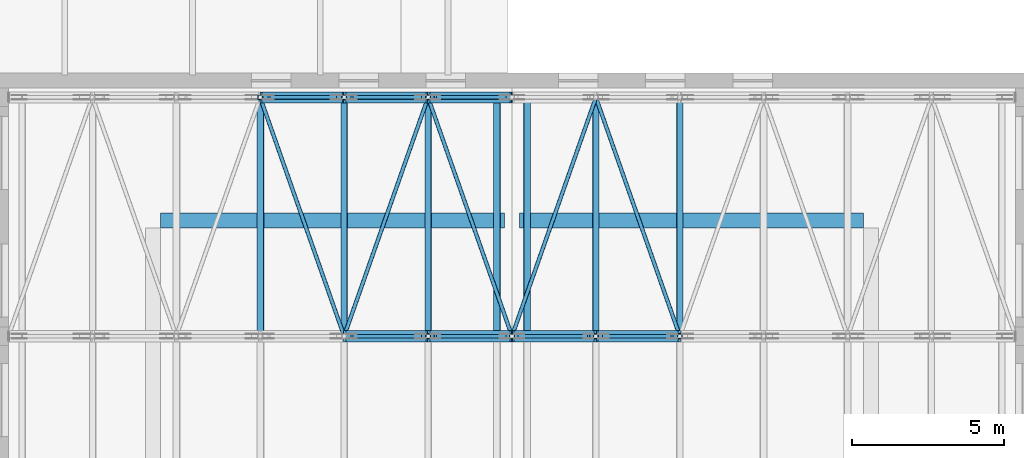
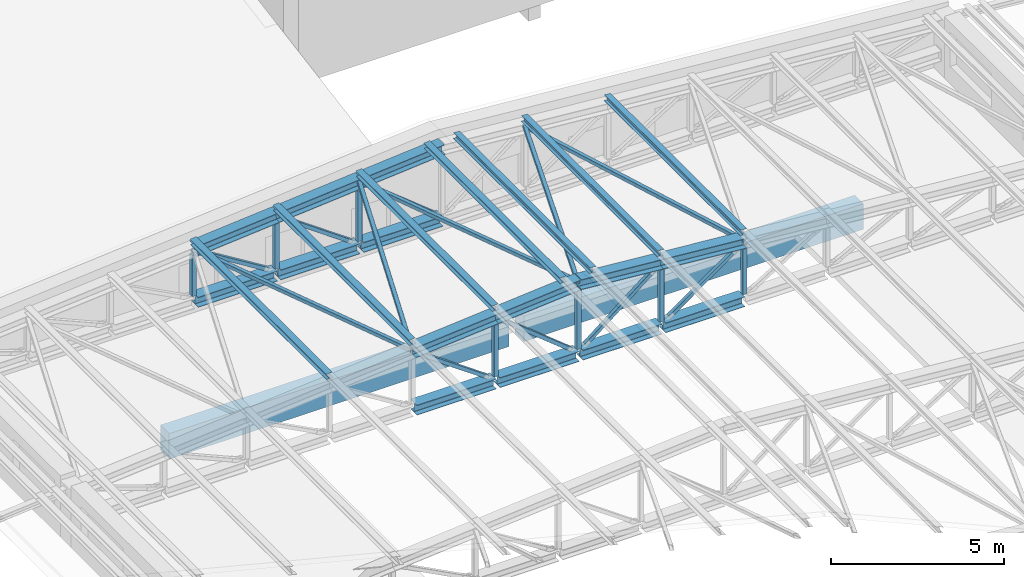
# One storey, part 18 of 60: 40 members, 2 beams.
"""IFC4 building model written with IfcOpenShell, lengths in metres."""

from ifc_helpers import new_model, si_unit, direction, frame, origin, origin_2d, place, context, subcontext, project, spatial, rectangle, hollow_rectangle, i_section, extrude, material, material_profile, profile_set, type_object, element, save


model = new_model("IFC4")

# Units and contexts
model_context = context("Model", 3, precision=1e-05, world=origin(), true_north=direction((0.0, 1.0)))
body_context = subcontext(model_context, "Body", "Model", "MODEL_VIEW")
ifc_project = project(units=[si_unit("LENGTHUNIT", "METRE"), si_unit("AREAUNIT", "SQUARE_METRE"), si_unit("VOLUMEUNIT", "CUBIC_METRE"), si_unit("PLANEANGLEUNIT", "RADIAN"), si_unit("MASSUNIT", "GRAM", prefix="KILO")], contexts=[model_context])

# Site, building, storey
site_placement = place(None, origin())
site = spatial("IfcSite", under=ifc_project, at=site_placement, CompositionType="ELEMENT")
building_placement = place(site_placement, origin())
building = spatial("IfcBuilding", under=site, at=building_placement, Name="Ljudholm Concert House", CompositionType="ELEMENT")
storey_placement = place(building_placement, frame((0.0, 0.0, 15.0)))
storey = spatial("IfcBuildingStorey", under=building, at=storey_placement, Name="L03", CompositionType="ELEMENT", Elevation=15.0)

# Beams
ifc_material_1 = material(Name="Concrete 6,500 psi", Category="concrete")
ifc_material_profile_1 = material_profile(ifc_material_1, rectangle(XDim=0.5, YDim=0.89990234375, at=origin_2d()), Name="RC BEAM 500x900")
ifc_profile_set_1 = profile_set([ifc_material_profile_1], Name="Concrete 6,500 psi")
beam_type = type_object("IfcBeamType", Name="RC BEAM 500x900", PredefinedType="BEAM", material=ifc_profile_set_1)
for number, where, z_axis, x_axis, name in (
    (1, (17.64990234375, 41.39990234375, -0.699951171875), (1.0, 0.0, 0.0), (0.0, 1.0, 0.0), "Ring beam"),
    (2, (29.449951171875, 41.39990234375, -0.699951171875), (1.0, 0.0, 0.0), (0.0, 1.0, 0.0), "Ring beam"),
):
    element("IfcBeam", number, at=place(storey_placement, frame(where, z_axis=z_axis, x_axis=x_axis)), inside=storey, type_object=beam_type, Name=name, PredefinedType="BEAM", context=body_context, shape_type="SweptSolid", body=[
        extrude(rectangle(XDim=0.5, YDim=0.89990234375, at=origin_2d()), origin(), (0.0, 0.0, 1.0), 11.300048828125),
    ])

# Members
ifc_material_2 = material(Name="Steel ASTM A500 Gr. C", Category="steel")
ifc_material_profile_2 = material_profile(ifc_material_2, hollow_rectangle(XDim=0.126953125, YDim=0.126953125, WallThickness=0.00732421875, InnerFilletRadius=0.003662109375, OuterFilletRadius=0.010986328125, at=origin_2d()), Name="HSS5X5X5/16")
ifc_profile_set_2 = profile_set([ifc_material_profile_2], Name="Steel ASTM A500 Gr. C")
member_type_1 = type_object("IfcMemberType", Name="STEEL MEMBER HSS5X5X5/16 BRACE", PredefinedType="BRACE", material=ifc_profile_set_2)
member_1_placement = place(storey_placement, frame((23.9423828125, 37.60009765625, 2.518798828125), z_axis=(0.815632982968, 0.0, -0.578569647574), x_axis=(0.0, 1.0, 0.0)))
element("IfcMember", 3, at=member_1_placement, inside=storey, type_object=member_type_1, Name="Roof truss T5 diagonal", PredefinedType="BRACE", context=body_context, shape_type="SweptSolid", body=[
    extrude(hollow_rectangle(XDim=0.126953125, YDim=0.126953125, WallThickness=0.00732421875, InnerFilletRadius=0.003662109375, OuterFilletRadius=0.010986328125, at=origin_2d()), origin(), (0.0, 0.0, 1.0), 2.74658203125),
])
member_2_placement = place(storey_placement, frame((26.68115234375, 37.60009765625, 2.753662109375), z_axis=(0.780371115446, 0.0, -0.625316657525), x_axis=(0.0, 1.0, 0.0)))
element("IfcMember", 4, at=member_2_placement, inside=storey, type_object=member_type_1, Name="Roof truss T5 diagonal", PredefinedType="BRACE", context=body_context, shape_type="SweptSolid", body=[
    extrude(hollow_rectangle(XDim=0.126953125, YDim=0.126953125, WallThickness=0.00732421875, InnerFilletRadius=0.003662109375, OuterFilletRadius=0.010986328125, at=origin_2d()), origin(), (0.0, 0.0, 1.0), 2.9208984375),
])
member_3_placement = place(storey_placement, frame((29.439697265625, 37.60009765625, 0.92724609375), z_axis=(0.780338427861, 0.0, 0.625357448187), x_axis=(0.0, 1.0, 0.0)))
element("IfcMember", 5, at=member_3_placement, inside=storey, type_object=member_type_1, Name="Roof truss T5 diagonal", PredefinedType="BRACE", context=body_context, shape_type="SweptSolid", body=[
    extrude(hollow_rectangle(XDim=0.126953125, YDim=0.126953125, WallThickness=0.00732421875, InnerFilletRadius=0.003662109375, OuterFilletRadius=0.010986328125, at=origin_2d()), origin(), (0.0, 0.0, 1.0), 2.920654296875),
])
member_4_placement = place(storey_placement, frame((32.21728515625, 37.60009765625, 0.9296875), z_axis=(0.815662734234, 0.0, 0.57852770373), x_axis=(0.0, 1.0, 0.0)))
element("IfcMember", 6, at=member_4_placement, inside=storey, type_object=member_type_1, Name="Roof truss T5 diagonal", PredefinedType="BRACE", context=body_context, shape_type="SweptSolid", body=[
    extrude(hollow_rectangle(XDim=0.126953125, YDim=0.126953125, WallThickness=0.00732421875, InnerFilletRadius=0.003662109375, OuterFilletRadius=0.010986328125, at=origin_2d()), origin(), (0.0, 0.0, 1.0), 2.746826171875),
])
member_5_placement = place(storey_placement, frame((21.20947265625, 45.449951171875, 2.2841796875), z_axis=(0.850800492384, 0.0, -0.525488841137), x_axis=(0.0, 1.0, 0.0)))
element("IfcMember", 7, at=member_5_placement, inside=storey, type_object=member_type_1, Name="Roof truss T6 diagonal", PredefinedType="BRACE", context=body_context, shape_type="SweptSolid", body=[
    extrude(hollow_rectangle(XDim=0.126953125, YDim=0.126953125, WallThickness=0.00732421875, InnerFilletRadius=0.003662109375, OuterFilletRadius=0.010986328125, at=origin_2d()), origin(), (0.0, 0.0, 1.0), 2.573486328125),
])
member_6_placement = place(storey_placement, frame((23.9423828125, 45.449951171875, 2.518798828125), z_axis=(0.815632982968, 0.0, -0.578569647574), x_axis=(0.0, 1.0, 0.0)))
element("IfcMember", 8, at=member_6_placement, inside=storey, type_object=member_type_1, Name="Roof truss T6 diagonal", PredefinedType="BRACE", context=body_context, shape_type="SweptSolid", body=[
    extrude(hollow_rectangle(XDim=0.126953125, YDim=0.126953125, WallThickness=0.00732421875, InnerFilletRadius=0.003662109375, OuterFilletRadius=0.010986328125, at=origin_2d()), origin(), (0.0, 0.0, 1.0), 2.74658203125),
])
member_7_placement = place(storey_placement, frame((26.68115234375, 45.449951171875, 2.753662109375), z_axis=(0.780371115446, 0.0, -0.625316657525), x_axis=(0.0, 1.0, 0.0)))
element("IfcMember", 9, at=member_7_placement, inside=storey, type_object=member_type_1, Name="Roof truss T6 diagonal", PredefinedType="BRACE", context=body_context, shape_type="SweptSolid", body=[
    extrude(hollow_rectangle(XDim=0.126953125, YDim=0.126953125, WallThickness=0.00732421875, InnerFilletRadius=0.003662109375, OuterFilletRadius=0.010986328125, at=origin_2d()), origin(), (0.0, 0.0, 1.0), 2.9208984375),
])
for number, where, z_axis, x_axis, name in (
    (10, (20.925048828125, 45.4443359375, 2.5), (0.33179473424, -0.942933734023, 0.02807539086), (0.943305577044, 0.331925576474, 0.0), "Roof bracing"),
    (11, (23.683349609375, 37.60546875, 2.7333984375), (0.331795007664, 0.942934511072, 0.028046046408), (-0.943305577044, 0.331925576474, 0.0), "Roof bracing"),
    (12, (26.441650390625, 45.4443359375, 2.966552734375), (0.33179473424, -0.942933734023, 0.02807539086), (0.943305577044, 0.331925576474, 0.0), "Roof bracing"),
    (13, (29.199951171875, 37.60546875, 3.199951171875), (0.33179473424, 0.942933734023, -0.02807539086), (-0.943305577044, 0.331925576474, 0.0), "Roof bracing"),
    (14, (31.958251953125, 45.4443359375, 2.966552734375), (0.331795007664, -0.942934511072, -0.028046046408), (0.943305577044, 0.331925576474, 0.0), "Roof bracing"),
):
    element("IfcMember", number, at=place(storey_placement, frame(where, z_axis=z_axis, x_axis=x_axis)), inside=storey, type_object=member_type_1, Name=name, PredefinedType="BRACE", context=body_context, shape_type="SweptSolid", body=[
        extrude(hollow_rectangle(XDim=0.126953125, YDim=0.126953125, WallThickness=0.00732421875, InnerFilletRadius=0.003662109375, OuterFilletRadius=0.010986328125, at=origin_2d()), origin(), (0.0, 0.0, 1.0), 8.313232421875),
    ])
ifc_material_3 = material(Name="Steel ASTM A500 Gr. C", Category="steel")
ifc_material_profile_3 = material_profile(ifc_material_3, hollow_rectangle(XDim=0.15234375, YDim=0.15234375, WallThickness=0.0087890625, InnerFilletRadius=0.00439453125, OuterFilletRadius=0.01318359375, at=origin_2d()), Name="HSS6X6X3/8")
ifc_profile_set_3 = profile_set([ifc_material_profile_3], Name="Steel ASTM A500 Gr. C")
member_type_2 = type_object("IfcMemberType", Name="STEEL MEMBER HSS6X6X3/8 POST", PredefinedType="POST", material=ifc_profile_set_3)
member_8_placement = place(storey_placement, frame((26.441650390625, 37.60009765625, 0.877685546875), z_axis=(0.0, 0.0, 1.0), x_axis=(1.0, 0.0, 0.0)))
element("IfcMember", 15, at=member_8_placement, inside=storey, type_object=member_type_2, Name="Roof truss T5 post", PredefinedType="POST", context=body_context, shape_type="SweptSolid", body=[
    extrude(hollow_rectangle(XDim=0.15234375, YDim=0.15234375, WallThickness=0.0087890625, InnerFilletRadius=0.00439453125, OuterFilletRadius=0.01318359375, at=origin_2d()), origin(), (0.0, 0.0, 1.0), 1.91064453125),
])
member_9_placement = place(storey_placement, frame((29.199951171875, 37.60009765625, 0.877685546875), z_axis=(0.0, 0.0, 1.0), x_axis=(1.0, 0.0, 0.0)))
element("IfcMember", 16, at=member_9_placement, inside=storey, type_object=member_type_2, Name="Roof truss T5 post", PredefinedType="POST", context=body_context, shape_type="SweptSolid", body=[
    extrude(hollow_rectangle(XDim=0.15234375, YDim=0.15234375, WallThickness=0.0087890625, InnerFilletRadius=0.00439453125, OuterFilletRadius=0.01318359375, at=origin_2d()), origin(), (0.0, 0.0, 1.0), 2.143798828125),
])
member_10_placement = place(storey_placement, frame((31.958251953125, 37.60009765625, 0.877685546875), z_axis=(0.0, 0.0, 1.0), x_axis=(1.0, 0.0, 0.0)))
element("IfcMember", 17, at=member_10_placement, inside=storey, type_object=member_type_2, Name="Roof truss T5 post", PredefinedType="POST", context=body_context, shape_type="SweptSolid", body=[
    extrude(hollow_rectangle(XDim=0.15234375, YDim=0.15234375, WallThickness=0.0087890625, InnerFilletRadius=0.00439453125, OuterFilletRadius=0.01318359375, at=origin_2d()), origin(), (0.0, 0.0, 1.0), 1.91064453125),
])
member_11_placement = place(storey_placement, frame((34.716552734375, 37.60009765625, 0.877685546875), z_axis=(0.0, 0.0, 1.0), x_axis=(1.0, 0.0, 0.0)))
element("IfcMember", 18, at=member_11_placement, inside=storey, type_object=member_type_2, Name="Roof truss T5 post", PredefinedType="POST", context=body_context, shape_type="SweptSolid", body=[
    extrude(hollow_rectangle(XDim=0.15234375, YDim=0.15234375, WallThickness=0.0087890625, InnerFilletRadius=0.00439453125, OuterFilletRadius=0.01318359375, at=origin_2d()), origin(), (0.0, 0.0, 1.0), 1.67724609375),
])
member_12_placement = place(storey_placement, frame((20.925048828125, 45.449951171875, 0.877685546875), z_axis=(0.0, 0.0, 1.0), x_axis=(1.0, 0.0, 0.0)))
element("IfcMember", 19, at=member_12_placement, inside=storey, type_object=member_type_2, Name="Roof truss T6 post", PredefinedType="POST", context=body_context, shape_type="SweptSolid", body=[
    extrude(hollow_rectangle(XDim=0.15234375, YDim=0.15234375, WallThickness=0.0087890625, InnerFilletRadius=0.00439453125, OuterFilletRadius=0.01318359375, at=origin_2d()), origin(), (0.0, 0.0, 1.0), 1.44384765625),
])
member_13_placement = place(storey_placement, frame((23.683349609375, 45.449951171875, 0.877685546875), z_axis=(0.0, 0.0, 1.0), x_axis=(1.0, 0.0, 0.0)))
element("IfcMember", 20, at=member_13_placement, inside=storey, type_object=member_type_2, Name="Roof truss T6 post", PredefinedType="POST", context=body_context, shape_type="SweptSolid", body=[
    extrude(hollow_rectangle(XDim=0.15234375, YDim=0.15234375, WallThickness=0.0087890625, InnerFilletRadius=0.00439453125, OuterFilletRadius=0.01318359375, at=origin_2d()), origin(), (0.0, 0.0, 1.0), 1.67724609375),
])
member_14_placement = place(storey_placement, frame((26.441650390625, 45.449951171875, 0.877685546875), z_axis=(0.0, 0.0, 1.0), x_axis=(1.0, 0.0, 0.0)))
element("IfcMember", 21, at=member_14_placement, inside=storey, type_object=member_type_2, Name="Roof truss T6 post", PredefinedType="POST", context=body_context, shape_type="SweptSolid", body=[
    extrude(hollow_rectangle(XDim=0.15234375, YDim=0.15234375, WallThickness=0.0087890625, InnerFilletRadius=0.00439453125, OuterFilletRadius=0.01318359375, at=origin_2d()), origin(), (0.0, 0.0, 1.0), 1.91064453125),
])
ifc_material_4 = material(Name="Steel ASTM A992", Category="steel")
ifc_material_profile_4 = material_profile(ifc_material_4, i_section(OverallWidth=0.368408203125, OverallDepth=0.355712890625, WebThickness=0.01123046875, FlangeThickness=0.01806640625, FilletRadius=0.01513671875, at=origin_2d()), Name="W14X90")
ifc_profile_set_4 = profile_set([ifc_material_profile_4], Name="Steel ASTM A992")
member_type_3 = type_object("IfcMemberType", Name="STEEL MEMBER W14X90 CHORD", PredefinedType="CHORD", material=ifc_profile_set_4)
member_15_placement = place(storey_placement, frame((23.683349609375, 37.60009765625, 2.7333984375), z_axis=(0.996446519711, 0.0, 0.084227865669), x_axis=(0.0, 1.0, 0.0)))
element("IfcMember", 22, at=member_15_placement, inside=storey, type_object=member_type_3, Name="Roof truss T5 top chord", PredefinedType="CHORD", context=body_context, shape_type="SweptSolid", body=[
    extrude(i_section(OverallWidth=0.368408203125, OverallDepth=0.355712890625, WebThickness=0.01123046875, FlangeThickness=0.01806640625, FilletRadius=0.01513671875, at=origin_2d()), origin(), (0.0, 0.0, 1.0), 2.76806640625),
])
member_16_placement = place(storey_placement, frame((23.745361328125, 37.60009765625, 0.699951171875), z_axis=(1.0, 0.0, 0.0), x_axis=(0.0, 1.0, 0.0)))
element("IfcMember", 23, at=member_16_placement, inside=storey, type_object=member_type_3, Name="Roof truss T5 bottom chord", PredefinedType="CHORD", context=body_context, shape_type="SweptSolid", body=[
    extrude(i_section(OverallWidth=0.368408203125, OverallDepth=0.355712890625, WebThickness=0.01123046875, FlangeThickness=0.01806640625, FilletRadius=0.01513671875, at=origin_2d()), origin(), (0.0, 0.0, 1.0), 2.63427734375),
])
member_17_placement = place(storey_placement, frame((26.441650390625, 37.60009765625, 2.966552734375), z_axis=(0.996439113695, 0.0, 0.084315435714), x_axis=(0.0, 1.0, 0.0)))
element("IfcMember", 24, at=member_17_placement, inside=storey, type_object=member_type_3, Name="Roof truss T5 top chord", PredefinedType="CHORD", context=body_context, shape_type="SweptSolid", body=[
    extrude(i_section(OverallWidth=0.368408203125, OverallDepth=0.355712890625, WebThickness=0.01123046875, FlangeThickness=0.01806640625, FilletRadius=0.01513671875, at=origin_2d()), origin(), (0.0, 0.0, 1.0), 2.76806640625),
])
member_18_placement = place(storey_placement, frame((26.503662109375, 37.60009765625, 0.699951171875), z_axis=(1.0, 0.0, 0.0), x_axis=(0.0, 1.0, 0.0)))
element("IfcMember", 25, at=member_18_placement, inside=storey, type_object=member_type_3, Name="Roof truss T5 bottom chord", PredefinedType="CHORD", context=body_context, shape_type="SweptSolid", body=[
    extrude(i_section(OverallWidth=0.368408203125, OverallDepth=0.355712890625, WebThickness=0.01123046875, FlangeThickness=0.01806640625, FilletRadius=0.01513671875, at=origin_2d()), origin(), (0.0, 0.0, 1.0), 2.63427734375),
])
member_19_placement = place(storey_placement, frame((29.199951171875, 37.60009765625, 3.199951171875), z_axis=(0.996439113695, 0.0, -0.084315435714), x_axis=(0.0, 1.0, 0.0)))
element("IfcMember", 26, at=member_19_placement, inside=storey, type_object=member_type_3, Name="Roof truss T5 top chord", PredefinedType="CHORD", context=body_context, shape_type="SweptSolid", body=[
    extrude(i_section(OverallWidth=0.368408203125, OverallDepth=0.355712890625, WebThickness=0.01123046875, FlangeThickness=0.01806640625, FilletRadius=0.01513671875, at=origin_2d()), origin(), (0.0, 0.0, 1.0), 2.76806640625),
])
member_20_placement = place(storey_placement, frame((29.261962890625, 37.60009765625, 0.699951171875), z_axis=(1.0, 0.0, 0.0), x_axis=(0.0, 1.0, 0.0)))
element("IfcMember", 27, at=member_20_placement, inside=storey, type_object=member_type_3, Name="Roof truss T5 bottom chord", PredefinedType="CHORD", context=body_context, shape_type="SweptSolid", body=[
    extrude(i_section(OverallWidth=0.368408203125, OverallDepth=0.355712890625, WebThickness=0.01123046875, FlangeThickness=0.01806640625, FilletRadius=0.01513671875, at=origin_2d()), origin(), (0.0, 0.0, 1.0), 2.63427734375),
])
member_21_placement = place(storey_placement, frame((31.958251953125, 37.60009765625, 2.966552734375), z_axis=(0.996446519711, 0.0, -0.084227865669), x_axis=(0.0, 1.0, 0.0)))
element("IfcMember", 28, at=member_21_placement, inside=storey, type_object=member_type_3, Name="Roof truss T5 top chord", PredefinedType="CHORD", context=body_context, shape_type="SweptSolid", body=[
    extrude(i_section(OverallWidth=0.368408203125, OverallDepth=0.355712890625, WebThickness=0.01123046875, FlangeThickness=0.01806640625, FilletRadius=0.01513671875, at=origin_2d()), origin(), (0.0, 0.0, 1.0), 2.76806640625),
])
member_22_placement = place(storey_placement, frame((32.020263671875, 37.60009765625, 0.699951171875), z_axis=(1.0, 0.0, 0.0), x_axis=(0.0, 1.0, 0.0)))
element("IfcMember", 29, at=member_22_placement, inside=storey, type_object=member_type_3, Name="Roof truss T5 bottom chord", PredefinedType="CHORD", context=body_context, shape_type="SweptSolid", body=[
    extrude(i_section(OverallWidth=0.368408203125, OverallDepth=0.355712890625, WebThickness=0.01123046875, FlangeThickness=0.01806640625, FilletRadius=0.01513671875, at=origin_2d()), origin(), (0.0, 0.0, 1.0), 2.634521484375),
])
member_23_placement = place(storey_placement, frame((20.925048828125, 45.449951171875, 2.5), z_axis=(0.996439113695, 0.0, 0.084315435714), x_axis=(0.0, 1.0, 0.0)))
element("IfcMember", 30, at=member_23_placement, inside=storey, type_object=member_type_3, Name="Roof truss T6 top chord", PredefinedType="CHORD", context=body_context, shape_type="SweptSolid", body=[
    extrude(i_section(OverallWidth=0.368408203125, OverallDepth=0.355712890625, WebThickness=0.01123046875, FlangeThickness=0.01806640625, FilletRadius=0.01513671875, at=origin_2d()), origin(), (0.0, 0.0, 1.0), 2.76806640625),
])
member_24_placement = place(storey_placement, frame((20.987060546875, 45.449951171875, 0.699951171875), z_axis=(1.0, 0.0, 0.0), x_axis=(0.0, 1.0, 0.0)))
element("IfcMember", 31, at=member_24_placement, inside=storey, type_object=member_type_3, Name="Roof truss T6 bottom chord", PredefinedType="CHORD", context=body_context, shape_type="SweptSolid", body=[
    extrude(i_section(OverallWidth=0.368408203125, OverallDepth=0.355712890625, WebThickness=0.01123046875, FlangeThickness=0.01806640625, FilletRadius=0.01513671875, at=origin_2d()), origin(), (0.0, 0.0, 1.0), 2.63427734375),
])
member_25_placement = place(storey_placement, frame((23.683349609375, 45.449951171875, 2.7333984375), z_axis=(0.996446519711, 0.0, 0.084227865669), x_axis=(0.0, 1.0, 0.0)))
element("IfcMember", 32, at=member_25_placement, inside=storey, type_object=member_type_3, Name="Roof truss T6 top chord", PredefinedType="CHORD", context=body_context, shape_type="SweptSolid", body=[
    extrude(i_section(OverallWidth=0.368408203125, OverallDepth=0.355712890625, WebThickness=0.01123046875, FlangeThickness=0.01806640625, FilletRadius=0.01513671875, at=origin_2d()), origin(), (0.0, 0.0, 1.0), 2.76806640625),
])
member_26_placement = place(storey_placement, frame((23.745361328125, 45.449951171875, 0.699951171875), z_axis=(1.0, 0.0, 0.0), x_axis=(0.0, 1.0, 0.0)))
element("IfcMember", 33, at=member_26_placement, inside=storey, type_object=member_type_3, Name="Roof truss T6 bottom chord", PredefinedType="CHORD", context=body_context, shape_type="SweptSolid", body=[
    extrude(i_section(OverallWidth=0.368408203125, OverallDepth=0.355712890625, WebThickness=0.01123046875, FlangeThickness=0.01806640625, FilletRadius=0.01513671875, at=origin_2d()), origin(), (0.0, 0.0, 1.0), 2.63427734375),
])
member_27_placement = place(storey_placement, frame((26.441650390625, 45.449951171875, 2.966552734375), z_axis=(0.996439113695, 0.0, 0.084315435714), x_axis=(0.0, 1.0, 0.0)))
element("IfcMember", 34, at=member_27_placement, inside=storey, type_object=member_type_3, Name="Roof truss T6 top chord", PredefinedType="CHORD", context=body_context, shape_type="SweptSolid", body=[
    extrude(i_section(OverallWidth=0.368408203125, OverallDepth=0.355712890625, WebThickness=0.01123046875, FlangeThickness=0.01806640625, FilletRadius=0.01513671875, at=origin_2d()), origin(), (0.0, 0.0, 1.0), 2.76806640625),
])
member_28_placement = place(storey_placement, frame((26.503662109375, 45.449951171875, 0.699951171875), z_axis=(1.0, 0.0, 0.0), x_axis=(0.0, 1.0, 0.0)))
element("IfcMember", 35, at=member_28_placement, inside=storey, type_object=member_type_3, Name="Roof truss T6 bottom chord", PredefinedType="CHORD", context=body_context, shape_type="SweptSolid", body=[
    extrude(i_section(OverallWidth=0.368408203125, OverallDepth=0.355712890625, WebThickness=0.01123046875, FlangeThickness=0.01806640625, FilletRadius=0.01513671875, at=origin_2d()), origin(), (0.0, 0.0, 1.0), 2.63427734375),
])
ifc_material_5 = material(Name="Steel ASTM A992", Category="steel")
ifc_material_profile_5 = material_profile(ifc_material_5, i_section(OverallWidth=0.203125, OverallDepth=0.203125, WebThickness=0.00732421875, FlangeThickness=0.010986328125, FilletRadius=0.010009765625, at=origin_2d()), Name="W8X31")
ifc_profile_set_5 = profile_set([ifc_material_profile_5], Name="Steel ASTM A992")
member_type_4 = type_object("IfcMemberType", Name="STEEL MEMBER W8X31 PURLIN", PredefinedType="PURLIN", material=ifc_profile_set_5)
for number, where, z_axis, x_axis, name in (
    (36, (20.93359375, 37.60009765625, 2.781005859375), (0.0, 1.0, 0.0), (-0.996441172925, 0.0, -0.084291096202), "Purlin"),
    (37, (23.69189453125, 37.60009765625, 3.014404296875), (0.0, 1.0, 0.0), (-0.996441172925, 0.0, -0.084291096202), "Purlin"),
    (38, (26.4501953125, 37.60009765625, 3.247802734375), (0.0, 1.0, 0.0), (-0.996441172925, 0.0, -0.084291096202), "Purlin"),
    (39, (28.70849609375, 37.60009765625, 3.438720703125), (0.0, 1.0, 0.0), (-0.996441172925, 0.0, -0.084291096202), "Purlin"),
    (40, (34.7080078125, 37.60009765625, 3.014404296875), (0.0, 1.0, 0.0), (-0.996441172925, 0.0, 0.084291096202), "Purlin"),
    (41, (31.94970703125, 37.60009765625, 3.247802734375), (0.0, 1.0, 0.0), (-0.996441172925, 0.0, 0.084291096202), "Purlin"),
    (42, (29.69140625, 37.60009765625, 3.438720703125), (0.0, 1.0, 0.0), (-0.996441172925, 0.0, 0.084291096202), "Purlin"),
):
    element("IfcMember", number, at=place(storey_placement, frame(where, z_axis=z_axis, x_axis=x_axis)), inside=storey, type_object=member_type_4, Name=name, PredefinedType="PURLIN", context=body_context, shape_type="SweptSolid", body=[
        extrude(i_section(OverallWidth=0.203125, OverallDepth=0.203125, WebThickness=0.00732421875, FlangeThickness=0.010986328125, FilletRadius=0.010009765625, at=origin_2d()), origin(), (0.0, 0.0, 1.0), 7.849853515625),
    ])

save(model, "model.ifc")
